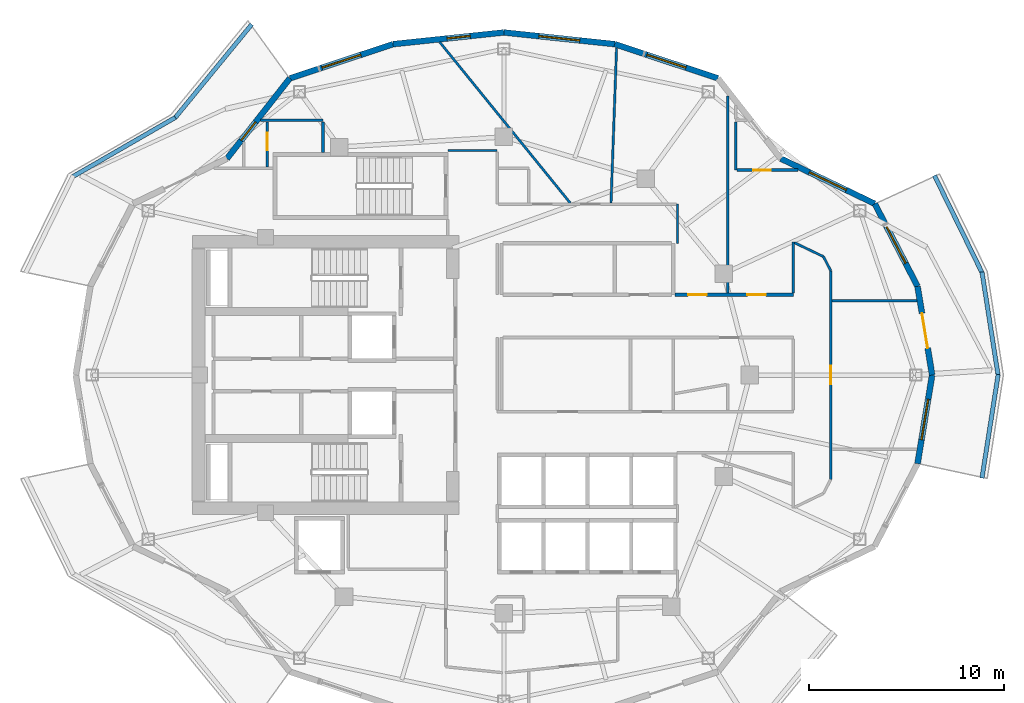
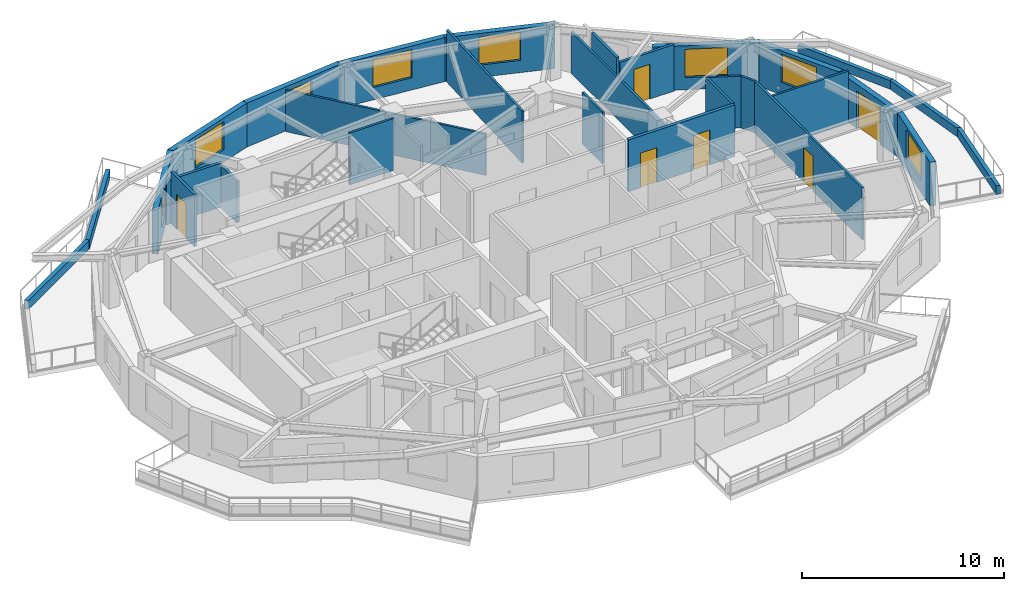
# One storey, part 6 of 12: 30 walls, 8 windows, 6 doors, 14 openings.
"""IFC4 building model written with IfcOpenShell, lengths in metres."""

from ifc_helpers import new_model, si_unit, direction, frame, frame_2d, origin, place, context, subcontext, project, spatial, rectangle, extrude, material, layer, layer_set, type_object, element, fill, save


model = new_model("IFC4")

# Units and contexts
model_context = context("Model", 3, precision=1e-05, world=origin(), true_north=direction((0.0, 1.0)))
body_context = subcontext(model_context, "Body", "Model", "MODEL_VIEW")
ifc_project = project(units=[si_unit("LENGTHUNIT", "METRE"), si_unit("AREAUNIT", "SQUARE_METRE"), si_unit("VOLUMEUNIT", "CUBIC_METRE"), si_unit("PLANEANGLEUNIT", "RADIAN"), si_unit("MASSUNIT", "GRAM", prefix="KILO")], contexts=[model_context])

# Site, building, storey
site_placement = place(None, origin())
site = spatial("IfcSite", under=ifc_project, at=site_placement, CompositionType="ELEMENT")
building_placement = place(site_placement, origin())
building = spatial("IfcBuilding", under=site, at=building_placement, Name="Kolvaren Gate Tower and Convention Centre", CompositionType="ELEMENT")
storey_placement = place(building_placement, frame((0.0, 0.0, 180.10009765625)))
storey = spatial("IfcBuildingStorey", under=building, at=storey_placement, Name="L47", CompositionType="ELEMENT", Elevation=180.10009765625)

# Wall, openings, doors
ifc_material_1 = material(Name="Autoclaved Aerated Masonry Blockwork Class 4 (4.0 MPa)", Category="masonry")
ifc_layer_1 = layer(ifc_material_1, 0.179931640625)
ifc_layer_set_1 = layer_set([ifc_layer_1], Name="Autoclaved Aerated Masonry Blockwork Class 4 (4.0 MPa)")
wall_type_1 = type_object("IfcWallType", Name="ARCH-WL-COMP-180", PredefinedType="SOLIDWALL", material=ifc_layer_set_1)
wall_1_placement = place(storey_placement, frame((38.89208984375, 31.1201171875, 0.0), z_axis=(0.0, 0.0, 1.0), x_axis=(1.0, 0.0, 0.0)))
wall_1 = element("IfcWall", 1, at=wall_1_placement, inside=storey, type_object=wall_type_1, Name="Interior Partition WL-L47-INT-019 (2)", PredefinedType="SOLIDWALL", context=body_context, shape_type="SweptSolid", body=[
    extrude(rectangle(XDim=6.057861328125, YDim=0.179931640625, at=frame_2d((3.02880859375, 0.0))), origin(), (0.0, 0.0, 1.0), 3.1298828125),
])
opening_1_placement = place(wall_1_placement, frame((3.702880859375, 0.0, 0.0)))
opening_1 = element("IfcOpeningElement", 2, at=opening_1_placement, cuts=wall_1, Name="Opening DR-01", PredefinedType="OPENING", context=body_context, shape_type="SweptSolid", body=[
    extrude(rectangle(XDim=0.949951171875, YDim=2.10009765625, at=frame_2d((0.47509765625, 1.050048828125))), frame((0.0, 0.099853515625, 0.0), z_axis=(0.0, -1.0, 0.0), x_axis=(1.0, 0.0, 0.0)), (0.0, 0.0, 1.0), 0.199951171875),
])
opening_2_placement = place(wall_1_placement, frame((0.6640625, 0.0, 0.0)))
opening_2 = element("IfcOpeningElement", 3, at=opening_2_placement, cuts=wall_1, Name="Opening DR-01", PredefinedType="OPENING", context=body_context, shape_type="SweptSolid", body=[
    extrude(rectangle(XDim=0.949951171875, YDim=2.10009765625, at=frame_2d((0.47509765625, 1.050048828125))), frame((0.0, 0.099853515625, 0.0), z_axis=(0.0, -1.0, 0.0), x_axis=(1.0, 0.0, 0.0)), (0.0, 0.0, 1.0), 0.199951171875),
])
ifc_material_2 = material(Name="Painted Architectural Steelwork ASTM A500 Grade C 345 MPa", Category="steel")
door_type_1 = type_object("IfcDoorType", Name="ARCH-DR-RISER-950", OperationType="SINGLE_SWING_RIGHT", PredefinedType="DOOR", material=ifc_material_2)
door_1_placement = place(opening_1_placement, origin())
door_1 = element("IfcDoor", 4, at=door_1_placement, inside=storey, type_object=door_type_1, Name="Hotel Guest Room (HTL-L47-05) Door", OperationType="SINGLE_SWING_LEFT", OverallHeight=2.10009765625, OverallWidth=0.949951171875, PredefinedType="DOOR", context=body_context, shape_type="SweptSolid", body=[
    extrude(rectangle(XDim=0.949951171875, YDim=2.10009765625, at=frame_2d((0.47509765625, 1.050048828125))), frame((0.0, 0.02490234375, 0.0), z_axis=(0.0, -1.0, 0.0), x_axis=(1.0, 0.0, 0.0)), (0.0, 0.0, 1.0), 0.050048828125),
])
fill(opening_1, door_1)
door_2_placement = place(opening_2_placement, origin())
door_2 = element("IfcDoor", 5, at=door_2_placement, inside=storey, type_object=door_type_1, Name="Hotel Botanical Clubroom Door", OperationType="SINGLE_SWING_RIGHT", OverallHeight=2.10009765625, OverallWidth=0.949951171875, PredefinedType="DOOR", context=body_context, shape_type="SweptSolid", body=[
    extrude(rectangle(XDim=0.949951171875, YDim=2.10009765625, at=frame_2d((0.47509765625, 1.050048828125))), frame((0.0, 0.02490234375, 0.0), z_axis=(0.0, -1.0, 0.0), x_axis=(1.0, 0.0, 0.0)), (0.0, 0.0, 1.0), 0.050048828125),
])
fill(opening_2, door_2)

# Walls
ifc_material_3 = material(Name="Fire-Rated Acoustic Gypsum Stud Partition", Category="gypsum")
ifc_layer_2 = layer(ifc_material_3, 0.1201171875)
ifc_layer_set_2 = layer_set([ifc_layer_2], Name="Fire-Rated Acoustic Gypsum Stud Partition")
wall_type_2 = type_object("IfcWallType", Name="ARCH-WL-PART-120", PredefinedType="PARTITIONING", material=ifc_layer_set_2)
wall_2_placement = place(storey_placement, frame((39.02001953125, 33.75, 0.0), z_axis=(0.0, 0.0, 1.0), x_axis=(0.0, 1.0, 0.0)))
element("IfcWall", 6, at=wall_2_placement, inside=storey, type_object=wall_type_2, Name="Interior Partition WL-L47-INT-023", PredefinedType="PARTITIONING", context=body_context, shape_type="SweptSolid", body=[
    extrude(rectangle(XDim=2.0, YDim=0.1201171875, at=frame_2d((1.0, 0.0))), origin(), (0.0, 0.0, 1.0), 3.1298828125),
])
wall_3_placement = place(storey_placement, frame((27.25, 38.5, 0.0), z_axis=(0.0, 0.0, 1.0), x_axis=(1.0, 0.0, 0.0)))
element("IfcWall", 7, at=wall_3_placement, inside=storey, type_object=wall_type_2, Name="Interior Partition WL-L47-INT-030", PredefinedType="PARTITIONING", context=body_context, shape_type="SweptSolid", body=[
    extrude(rectangle(XDim=2.530029296875, YDim=0.1201171875, at=frame_2d((1.26513671875, 0.0))), origin(), (0.0, 0.0, 1.0), 3.1298828125),
])
wall_4_placement = place(storey_placement, frame((44.949951171875, 31.2119140625, 0.0), z_axis=(0.0, 0.0, 1.0), x_axis=(0.0, 1.0, 0.0)))
element("IfcWall", 8, at=wall_4_placement, inside=storey, type_object=wall_type_2, Name="Interior Partition WL-L47-INT-038", PredefinedType="PARTITIONING", context=body_context, shape_type="SweptSolid", body=[
    extrude(rectangle(XDim=2.59619140625, YDim=0.1201171875, at=frame_2d((1.298095703125, 0.0))), origin(), (0.0, 0.0, 1.0), 3.1298828125),
])
wall_5_placement = place(storey_placement, frame((45.011962890625, 33.7783203125, 0.0), z_axis=(0.0, 0.0, 1.0), x_axis=(0.901268034538, -0.433261964544, 0.0)))
element("IfcWall", 9, at=wall_5_placement, inside=storey, type_object=wall_type_2, Name="Interior Partition WL-L47-INT-039", PredefinedType="PARTITIONING", context=body_context, shape_type="SweptSolid", body=[
    extrude(rectangle(XDim=1.644287109375, YDim=0.1201171875, at=frame_2d((0.822265625, 0.0))), origin(), (0.0, 0.0, 1.0), 3.1298828125),
])
wall_6_placement = place(storey_placement, frame((46.493896484375, 33.06591796875, 0.0), z_axis=(0.0, 0.0, 1.0), x_axis=(0.460674892026, -0.887568951607, 0.0)))
element("IfcWall", 10, at=wall_6_placement, inside=storey, type_object=wall_type_2, Name="Interior Partition WL-L47-INT-040", PredefinedType="PARTITIONING", context=body_context, shape_type="SweptSolid", body=[
    extrude(rectangle(XDim=0.816650390625, YDim=0.1201171875, at=frame_2d((0.408203125, 0.0))), origin(), (0.0, 0.0, 1.0), 3.1298828125),
])

# Wall, opening, door
wall_7_placement = place(storey_placement, frame((46.8701171875, 21.658935546875, 0.0), z_axis=(0.0, 0.0, 1.0), x_axis=(0.0, 1.0, 0.0)))
wall_7 = element("IfcWall", 11, at=wall_7_placement, inside=storey, type_object=wall_type_2, Name="Interior Partition WL-L47-INT-041", PredefinedType="PARTITIONING", context=body_context, shape_type="SweptSolid", body=[
    extrude(rectangle(XDim=10.68212890625, YDim=0.1201171875, at=frame_2d((5.341064453125, 0.0))), origin(), (0.0, 0.0, 1.0), 3.1298828125),
])
opening_3_placement = place(wall_7_placement, frame((4.865966796875, 0.0, 0.0)))
opening_3 = element("IfcOpeningElement", 12, at=opening_3_placement, cuts=wall_7, Name="Opening DR-01", PredefinedType="OPENING", context=body_context, shape_type="SweptSolid", body=[
    extrude(rectangle(XDim=0.949951171875, YDim=2.10009765625, at=frame_2d((0.47509765625, 1.050048828125))), frame((0.0, 0.070068359375, 0.0), z_axis=(0.0, -1.0, 0.0), x_axis=(1.0, 0.0, 0.0)), (0.0, 0.0, 1.0), 0.14013671875),
])
door_3_placement = place(opening_3_placement, origin())
door_3 = element("IfcDoor", 13, at=door_3_placement, inside=storey, type_object=door_type_1, Name="Sky Gastronomy Restaurant Door", OperationType="SINGLE_SWING_LEFT", OverallHeight=2.10009765625, OverallWidth=0.949951171875, PredefinedType="DOOR", context=body_context, shape_type="SweptSolid", body=[
    extrude(rectangle(XDim=0.949951171875, YDim=2.10009765625, at=frame_2d((0.47509765625, 1.050048828125))), frame((0.0, 0.02490234375, 0.0), z_axis=(0.0, -1.0, 0.0), x_axis=(1.0, 0.0, 0.0)), (0.0, 0.0, 1.0), 0.050048828125),
])
fill(opening_3, door_3)

# Walls
wall_8_placement = place(storey_placement, frame((46.931884765625, 30.800048828125, 0.0), z_axis=(0.0, 0.0, 1.0), x_axis=(1.0, 0.0, 0.0)))
element("IfcWall", 14, at=wall_8_placement, inside=storey, type_object=wall_type_2, Name="Interior Partition WL-L47-INT-055", PredefinedType="PARTITIONING", context=body_context, shape_type="SweptSolid", body=[
    extrude(rectangle(XDim=4.351318359375, YDim=0.1201171875, at=frame_2d((2.17578125, 0.0))), origin(), (0.0, 0.0, 1.0), 3.1298828125),
])
wall_9_placement = place(storey_placement, frame((41.60009765625, 31.2119140625, 0.0), z_axis=(0.0, 0.0, 1.0), x_axis=(0.0, 1.0, 0.0)))
element("IfcWall", 15, at=wall_9_placement, inside=storey, type_object=wall_type_2, Name="Interior Partition WL-L47-INT-057", PredefinedType="PARTITIONING", context=body_context, shape_type="SweptSolid", body=[
    extrude(rectangle(XDim=10.093505859375, YDim=0.1201171875, at=frame_2d((5.046875, 0.0))), origin(), (0.0, 0.0, 1.0), 2.5048828125),
])
wall_10_placement = place(storey_placement, frame((35.611083984375, 35.81201171875, 0.0), z_axis=(0.0, 0.0, 1.0), x_axis=(0.035850277254, 0.999357172197, 0.0)))
element("IfcWall", 16, at=wall_10_placement, inside=storey, type_object=wall_type_2, Name="Interior Partition WL-L47-INT-063", PredefinedType="PARTITIONING", context=body_context, shape_type="SweptSolid", body=[
    extrude(rectangle(XDim=7.9541015625, YDim=0.1201171875, at=frame_2d((3.97705078125, 0.0))), origin(), (0.0, 0.0, 1.0), 3.1298828125),
])
wall_11_placement = place(storey_placement, frame((26.83935546875, 44.051025390625, 0.0), z_axis=(0.0, 0.0, 1.0), x_axis=(0.630087458982, -0.77652417479, 0.0)))
element("IfcWall", 17, at=wall_11_placement, inside=storey, type_object=wall_type_2, Name="Interior Partition WL-L47-INT-064", PredefinedType="PARTITIONING", context=body_context, shape_type="SweptSolid", body=[
    extrude(rectangle(XDim=10.610107421875, YDim=0.1201171875, at=frame_2d((5.30517578125, 0.0))), origin(), (0.0, 0.0, 1.0), 2.5048828125),
])
ifc_material_4 = material(Name="Piedmont Cream Honed Limestone Cladding", Category="masonry")
ifc_layer_3 = layer(ifc_material_4, 0.219970703125)
ifc_layer_set_3 = layer_set([ifc_layer_3], Name="Piedmont Cream Honed Limestone Cladding")
wall_type_3 = type_object("IfcWallType", Name="ARCH-WL-PLANTER-220", PredefinedType="PARAPET", material=ifc_layer_set_3)
wall_12_placement = place(storey_placement, frame((13.24609375, 40.13720703125, 0.0), z_axis=(0.0, 0.0, 1.0), x_axis=(0.634429234628, 0.77298094818, 0.0)))
element("IfcWall", 18, at=wall_12_placement, inside=storey, type_object=wall_type_3, Name="Vertical-Forest Balcony Stone Planter Kerb PK-L47-1.1", PredefinedType="PARAPET", context=body_context, shape_type="SweptSolid", body=[
    extrude(rectangle(XDim=6.244873046875, YDim=0.219970703125, at=frame_2d((3.12255859375, 0.0))), origin(), (0.0, 0.0, 1.0), 0.52001953125),
])
wall_13_placement = place(storey_placement, frame((8.0439453125, 37.16552734375, 0.0), z_axis=(0.0, 0.0, 1.0), x_axis=(0.866058128659, 0.499943314571, 0.0)))
element("IfcWall", 19, at=wall_13_placement, inside=storey, type_object=wall_type_3, Name="Vertical-Forest Balcony Stone Planter Kerb PK-L47-1.2", PredefinedType="PARAPET", context=body_context, shape_type="SweptSolid", body=[
    extrude(rectangle(XDim=6.060302734375, YDim=0.219970703125, at=frame_2d((3.0302734375, 0.0))), origin(), (0.0, 0.0, 1.0), 0.52001953125),
])
for number, where, z_axis, x_axis, name in (
    (20, (54.615234375, 21.719970703125, 0.0), (0.0, 0.0, 1.0), (0.154245214003, 0.988032597619, 0.0), "Vertical-Forest Balcony Stone Planter Kerb PK-L47-4.1"),
    (21, (54.615234375, 32.280029296875, 0.0), (0.0, 0.0, 1.0), (0.154245214003, -0.988032597619, 0.0), "Vertical-Forest Balcony Stone Planter Kerb PK-L47-4.2"),
):
    element("IfcWall", number, at=place(storey_placement, frame(where, z_axis=z_axis, x_axis=x_axis)), inside=storey, type_object=wall_type_3, Name=name, PredefinedType="PARAPET", context=body_context, shape_type="SweptSolid", body=[
        extrude(rectangle(XDim=5.37353515625, YDim=0.219970703125, at=frame_2d((2.686767578125, 0.0))), origin(), (0.0, 0.0, 1.0), 0.52001953125),
    ])
wall_14_placement = place(storey_placement, frame((52.180419921875, 37.221435546875, 0.0), z_axis=(0.0, 0.0, 1.0), x_axis=(0.439637174641, -0.898175458735, 0.0)))
element("IfcWall", 22, at=wall_14_placement, inside=storey, type_object=wall_type_3, Name="Vertical-Forest Balcony Stone Planter Kerb PK-L47-4.3", PredefinedType="PARAPET", context=body_context, shape_type="SweptSolid", body=[
    extrude(rectangle(XDim=5.567138671875, YDim=0.219970703125, at=frame_2d((2.78369140625, 0.0))), origin(), (0.0, 0.0, 1.0), 0.52001953125),
])

# Wall, opening, door
ifc_layer_4 = layer(ifc_material_4, 0.300048828125)
ifc_layer_set_4 = layer_set([ifc_layer_4], Name="Piedmont Cream Honed Limestone Cladding")
wall_type_4 = type_object("IfcWallType", Name="ARCH-WL-STONE-300", PredefinedType="SOLIDWALL", material=ifc_layer_set_4)
wall_15_placement = place(storey_placement, frame((51.31494140625, 31.542236328125, 0.0), z_axis=(0.0, 0.0, 1.0), x_axis=(0.162394765401, -0.986725868806, 0.0)))
wall_15 = element("IfcWall", 23, at=wall_15_placement, inside=storey, type_object=wall_type_4, Name="Tower L47 Honed Stone Spandrel Wall EW-00", PredefinedType="SOLIDWALL", context=body_context, shape_type="SweptSolid", body=[
    extrude(rectangle(XDim=4.603271484375, YDim=0.300048828125, at=frame_2d((2.3017578125, 0.0))), origin(), (0.0, 0.0, 1.0), 2.65283203125),
])
opening_4_placement = place(wall_15_placement, frame((1.402099609375, 0.0, 0.0)))
opening_4 = element("IfcOpeningElement", 24, at=opening_4_placement, cuts=wall_15, Name="Opening DB-01", PredefinedType="OPENING", context=body_context, shape_type="SweptSolid", body=[
    extrude(rectangle(XDim=1.800048828125, YDim=2.25, at=frame_2d((0.89990234375, 1.125))), frame((0.0, 0.159912109375, 0.0), z_axis=(0.0, -1.0, 0.0), x_axis=(1.0, 0.0, 0.0)), (0.0, 0.0, 1.0), 0.320068359375),
])
ifc_material_5 = material(Name="Anodized Architectural Aluminium Alloy 6063-T6", Category="aluminium")
door_type_2 = type_object("IfcDoorType", Name="ARCH-DR-BALC-1800", OperationType="SLIDING_TO_LEFT", PredefinedType="DOOR", material=ifc_material_5)
door_4_placement = place(opening_4_placement, origin())
door_4 = element("IfcDoor", 25, at=door_4_placement, inside=storey, type_object=door_type_2, Name="Planted Sky Terrace Access Door DB-L47-00", OperationType="SLIDING_TO_LEFT", OverallHeight=2.25, OverallWidth=1.800048828125, PredefinedType="DOOR", context=body_context, shape_type="SweptSolid", body=[
    extrude(rectangle(XDim=1.800048828125, YDim=2.25, at=frame_2d((0.89990234375, 1.125))), frame((0.0, 0.02490234375, 0.0), z_axis=(0.0, -1.0, 0.0), x_axis=(1.0, 0.0, 0.0)), (0.0, 0.0, 1.0), 0.050048828125),
])
fill(opening_4, door_4)

# Wall, opening, window
wall_16_placement = place(storey_placement, frame((49.123291015625, 35.77490234375, 0.0), z_axis=(0.0, 0.0, 1.0), x_axis=(0.459810251451, -0.888017191647, 0.0)))
wall_16 = element("IfcWall", 26, at=wall_16_placement, inside=storey, type_object=wall_type_4, Name="Tower L47 Honed Stone Spandrel Wall EW-01", PredefinedType="SOLIDWALL", context=body_context, shape_type="SweptSolid", body=[
    extrude(rectangle(XDim=4.766357421875, YDim=0.300048828125, at=frame_2d((2.38330078125, 0.0))), origin(), (0.0, 0.0, 1.0), 2.65283203125),
])
opening_5_placement = place(wall_16_placement, frame((1.3330078125, 0.0, 0.739990234375)))
opening_5 = element("IfcOpeningElement", 27, at=opening_5_placement, cuts=wall_16, Name="Opening W-02", PredefinedType="OPENING", context=body_context, shape_type="SweptSolid", body=[
    extrude(rectangle(XDim=2.10009765625, YDim=1.699951171875, at=frame_2d((1.050048828125, 0.85009765625))), frame((0.0, 0.159912109375, 0.0), z_axis=(0.0, -1.0, 0.0), x_axis=(1.0, 0.0, 0.0)), (0.0, 0.0, 1.0), 0.320068359375),
])
ifc_material_6 = material(Name="Low-E Triple Insulated Glazing Unit 44 mm", Category="glass")
window_type_1 = type_object("IfcWindowType", Name="ARCH-WN-HTL-2100", PartitioningType="SINGLE_PANEL", PredefinedType="WINDOW", material=ifc_material_6)
window_1_placement = place(opening_5_placement, origin())
window_1 = element("IfcWindow", 28, at=window_1_placement, inside=storey, type_object=window_type_1, Name="Tower L47 Punched Stone Facade Window W-01", OverallHeight=1.699951171875, OverallWidth=2.10009765625, PartitioningType="SINGLE_PANEL", PredefinedType="WINDOW", context=body_context, shape_type="SweptSolid", body=[
    extrude(rectangle(XDim=2.10009765625, YDim=1.699951171875, at=frame_2d((1.050048828125, 0.85009765625))), frame((0.0, 0.030029296875, 0.0), z_axis=(0.0, -1.0, 0.0), x_axis=(1.0, 0.0, 0.0)), (0.0, 0.0, 1.0), 0.06005859375),
])
fill(opening_5, window_1)

wall_17_placement = place(storey_placement, frame((44.3134765625, 38.0859375, 0.0), z_axis=(0.0, 0.0, 1.0), x_axis=(0.901353070301, -0.433085029363, 0.0)))
wall_17 = element("IfcWall", 29, at=wall_17_placement, inside=storey, type_object=wall_type_4, Name="Tower L47 Honed Stone Spandrel Wall EW-02", PredefinedType="SOLIDWALL", context=body_context, shape_type="SweptSolid", body=[
    extrude(rectangle(XDim=5.336181640625, YDim=0.300048828125, at=frame_2d((2.66796875, 0.0))), origin(), (0.0, 0.0, 1.0), 2.65283203125),
])
opening_6_placement = place(wall_17_placement, frame((1.617919921875, 0.0, 0.739990234375)))
opening_6 = element("IfcOpeningElement", 30, at=opening_6_placement, cuts=wall_17, Name="Opening W-02", PredefinedType="OPENING", context=body_context, shape_type="SweptSolid", body=[
    extrude(rectangle(XDim=2.10009765625, YDim=1.699951171875, at=frame_2d((1.050048828125, 0.85009765625))), frame((0.0, 0.159912109375, 0.0), z_axis=(0.0, -1.0, 0.0), x_axis=(1.0, 0.0, 0.0)), (0.0, 0.0, 1.0), 0.320068359375),
])
window_2_placement = place(opening_6_placement, origin())
window_2 = element("IfcWindow", 31, at=window_2_placement, inside=storey, type_object=window_type_1, Name="Tower L47 Punched Stone Facade Window W-02", OverallHeight=1.699951171875, OverallWidth=2.10009765625, PartitioningType="SINGLE_PANEL", PredefinedType="WINDOW", context=body_context, shape_type="SweptSolid", body=[
    extrude(rectangle(XDim=2.10009765625, YDim=1.699951171875, at=frame_2d((1.050048828125, 0.85009765625))), frame((0.0, 0.030029296875, 0.0), z_axis=(0.0, -1.0, 0.0), x_axis=(1.0, 0.0, 0.0)), (0.0, 0.0, 1.0), 0.06005859375),
])
fill(opening_6, window_2)

wall_18_placement = place(storey_placement, frame((35.802734375, 43.951904296875, 0.0), z_axis=(0.0, 0.0, 1.0), x_axis=(0.949246811547, -0.314532177636, 0.0)))
wall_18 = element("IfcWall", 32, at=wall_18_placement, inside=storey, type_object=wall_type_4, Name="Tower L47 Honed Stone Spandrel Wall EW-04", PredefinedType="SOLIDWALL", context=body_context, shape_type="SweptSolid", body=[
    extrude(rectangle(XDim=5.573974609375, YDim=0.300048828125, at=frame_2d((2.787109375, 0.0))), origin(), (0.0, 0.0, 1.0), 2.65283203125),
])
opening_7_placement = place(wall_18_placement, frame((1.737060546875, 0.0, 0.739990234375)))
opening_7 = element("IfcOpeningElement", 33, at=opening_7_placement, cuts=wall_18, Name="Opening W-02", PredefinedType="OPENING", context=body_context, shape_type="SweptSolid", body=[
    extrude(rectangle(XDim=2.10009765625, YDim=1.699951171875, at=frame_2d((1.050048828125, 0.85009765625))), frame((0.0, 0.159912109375, 0.0), z_axis=(0.0, -1.0, 0.0), x_axis=(1.0, 0.0, 0.0)), (0.0, 0.0, 1.0), 0.320068359375),
])
window_3_placement = place(opening_7_placement, origin())
window_3 = element("IfcWindow", 34, at=window_3_placement, inside=storey, type_object=window_type_1, Name="Tower L47 Punched Stone Facade Window W-04", OverallHeight=1.699951171875, OverallWidth=2.10009765625, PartitioningType="SINGLE_PANEL", PredefinedType="WINDOW", context=body_context, shape_type="SweptSolid", body=[
    extrude(rectangle(XDim=2.10009765625, YDim=1.699951171875, at=frame_2d((1.050048828125, 0.85009765625))), frame((0.0, 0.030029296875, 0.0), z_axis=(0.0, -1.0, 0.0), x_axis=(1.0, 0.0, 0.0)), (0.0, 0.0, 1.0), 0.06005859375),
])
fill(opening_7, window_3)

wall_19_placement = place(storey_placement, frame((30.125, 44.550048828125, 0.0), z_axis=(0.0, 0.0, 1.0), x_axis=(0.994496545245, -0.104769372887, 0.0)))
wall_19 = element("IfcWall", 35, at=wall_19_placement, inside=storey, type_object=wall_type_4, Name="Tower L47 Honed Stone Spandrel Wall EW-05", PredefinedType="SOLIDWALL", context=body_context, shape_type="SweptSolid", body=[
    extrude(rectangle(XDim=5.709228515625, YDim=0.300048828125, at=frame_2d((2.8544921875, 0.0))), origin(), (0.0, 0.0, 1.0), 2.65283203125),
])
opening_8_placement = place(wall_19_placement, frame((1.804931640625, 0.0, 0.739990234375)))
opening_8 = element("IfcOpeningElement", 36, at=opening_8_placement, cuts=wall_19, Name="Opening W-02", PredefinedType="OPENING", context=body_context, shape_type="SweptSolid", body=[
    extrude(rectangle(XDim=2.10009765625, YDim=1.699951171875, at=frame_2d((1.050048828125, 0.85009765625))), frame((0.0, 0.159912109375, 0.0), z_axis=(0.0, -1.0, 0.0), x_axis=(1.0, 0.0, 0.0)), (0.0, 0.0, 1.0), 0.320068359375),
])
window_4_placement = place(opening_8_placement, origin())
window_4 = element("IfcWindow", 37, at=window_4_placement, inside=storey, type_object=window_type_1, Name="Tower L47 Punched Stone Facade Window W-05", OverallHeight=1.699951171875, OverallWidth=2.10009765625, PartitioningType="SINGLE_PANEL", PredefinedType="WINDOW", context=body_context, shape_type="SweptSolid", body=[
    extrude(rectangle(XDim=2.10009765625, YDim=1.699951171875, at=frame_2d((1.050048828125, 0.85009765625))), frame((0.0, 0.030029296875, 0.0), z_axis=(0.0, -1.0, 0.0), x_axis=(1.0, 0.0, 0.0)), (0.0, 0.0, 1.0), 0.06005859375),
])
fill(opening_8, window_4)

wall_20_placement = place(storey_placement, frame((24.447265625, 43.951904296875, 0.0), z_axis=(0.0, 0.0, 1.0), x_axis=(0.994496545245, 0.104769372887, 0.0)))
wall_20 = element("IfcWall", 38, at=wall_20_placement, inside=storey, type_object=wall_type_4, Name="Tower L47 Honed Stone Spandrel Wall EW-06", PredefinedType="SOLIDWALL", context=body_context, shape_type="SweptSolid", body=[
    extrude(rectangle(XDim=5.709228515625, YDim=0.300048828125, at=frame_2d((2.8544921875, 0.0))), origin(), (0.0, 0.0, 1.0), 2.65283203125),
])
opening_9_placement = place(wall_20_placement, frame((2.780029296875, 0.0, 0.719970703125)))
opening_9 = element("IfcOpeningElement", 39, at=opening_9_placement, cuts=wall_20, Name="Opening W-04", PredefinedType="OPENING", context=body_context, shape_type="SweptSolid", body=[
    extrude(rectangle(XDim=1.199951171875, YDim=1.64990234375, at=frame_2d((0.60009765625, 0.824951171875))), frame((0.0, 0.159912109375, 0.0), z_axis=(0.0, -1.0, 0.0), x_axis=(1.0, 0.0, 0.0)), (0.0, 0.0, 1.0), 0.320068359375),
])
window_type_2 = type_object("IfcWindowType", Name="ARCH-WN-NARROW-1200", PartitioningType="SINGLE_PANEL", PredefinedType="WINDOW", material=ifc_material_6)
window_5_placement = place(opening_9_placement, origin())
window_5 = element("IfcWindow", 40, at=window_5_placement, inside=storey, type_object=window_type_2, Name="Tower L47 Punched Stone Facade Window W-06", OverallHeight=1.64990234375, OverallWidth=1.199951171875, PartitioningType="SINGLE_PANEL", PredefinedType="WINDOW", context=body_context, shape_type="SweptSolid", body=[
    extrude(rectangle(XDim=1.199951171875, YDim=1.64990234375, at=frame_2d((0.60009765625, 0.824951171875))), frame((0.0, 0.030029296875, 0.0), z_axis=(0.0, -1.0, 0.0), x_axis=(1.0, 0.0, 0.0)), (0.0, 0.0, 1.0), 0.06005859375),
])
fill(opening_9, window_5)

wall_21_placement = place(storey_placement, frame((19.15625, 42.19873046875, 0.0), z_axis=(0.0, 0.0, 1.0), x_axis=(0.949246811547, 0.314532177636, 0.0)))
wall_21 = element("IfcWall", 41, at=wall_21_placement, inside=storey, type_object=wall_type_4, Name="Tower L47 Honed Stone Spandrel Wall EW-07", PredefinedType="SOLIDWALL", context=body_context, shape_type="SweptSolid", body=[
    extrude(rectangle(XDim=5.573974609375, YDim=0.300048828125, at=frame_2d((2.787109375, 0.0))), origin(), (0.0, 0.0, 1.0), 2.65283203125),
])
opening_10_placement = place(wall_21_placement, frame((1.737060546875, 0.0, 0.739990234375)))
opening_10 = element("IfcOpeningElement", 42, at=opening_10_placement, cuts=wall_21, Name="Opening W-02", PredefinedType="OPENING", context=body_context, shape_type="SweptSolid", body=[
    extrude(rectangle(XDim=2.10009765625, YDim=1.699951171875, at=frame_2d((1.050048828125, 0.85009765625))), frame((0.0, 0.159912109375, 0.0), z_axis=(0.0, -1.0, 0.0), x_axis=(1.0, 0.0, 0.0)), (0.0, 0.0, 1.0), 0.320068359375),
])
window_6_placement = place(opening_10_placement, origin())
window_6 = element("IfcWindow", 43, at=window_6_placement, inside=storey, type_object=window_type_1, Name="Tower L47 Punched Stone Facade Window W-07", OverallHeight=1.699951171875, OverallWidth=2.10009765625, PartitioningType="SINGLE_PANEL", PredefinedType="WINDOW", context=body_context, shape_type="SweptSolid", body=[
    extrude(rectangle(XDim=2.10009765625, YDim=1.699951171875, at=frame_2d((1.050048828125, 0.85009765625))), frame((0.0, 0.030029296875, 0.0), z_axis=(0.0, -1.0, 0.0), x_axis=(1.0, 0.0, 0.0)), (0.0, 0.0, 1.0), 0.06005859375),
])
fill(opening_10, window_6)

wall_22_placement = place(storey_placement, frame((15.9365234375, 38.0859375, 0.0), z_axis=(0.0, 0.0, 1.0), x_axis=(0.616429245738, 0.787410302828, 0.0)))
wall_22 = element("IfcWall", 44, at=wall_22_placement, inside=storey, type_object=wall_type_4, Name="Tower L47 Honed Stone Spandrel Wall EW-08", PredefinedType="SOLIDWALL", context=body_context, shape_type="SweptSolid", body=[
    extrude(rectangle(XDim=5.22314453125, YDim=0.300048828125, at=frame_2d((2.611572265625, 0.0))), origin(), (0.0, 0.0, 1.0), 2.65283203125),
])
opening_11_placement = place(wall_22_placement, frame((1.179931640625, 0.0, 0.719970703125)))
opening_11 = element("IfcOpeningElement", 45, at=opening_11_placement, cuts=wall_22, Name="Opening W-04", PredefinedType="OPENING", context=body_context, shape_type="SweptSolid", body=[
    extrude(rectangle(XDim=1.199951171875, YDim=1.64990234375, at=frame_2d((0.60009765625, 0.824951171875))), frame((0.0, 0.159912109375, 0.0), z_axis=(0.0, -1.0, 0.0), x_axis=(1.0, 0.0, 0.0)), (0.0, 0.0, 1.0), 0.320068359375),
])
window_7_placement = place(opening_11_placement, origin())
window_7 = element("IfcWindow", 46, at=window_7_placement, inside=storey, type_object=window_type_2, Name="Tower L47 Punched Stone Facade Window W-08", OverallHeight=1.64990234375, OverallWidth=1.199951171875, PartitioningType="SINGLE_PANEL", PredefinedType="WINDOW", context=body_context, shape_type="SweptSolid", body=[
    extrude(rectangle(XDim=1.199951171875, YDim=1.64990234375, at=frame_2d((0.60009765625, 0.824951171875))), frame((0.0, 0.030029296875, 0.0), z_axis=(0.0, -1.0, 0.0), x_axis=(1.0, 0.0, 0.0)), (0.0, 0.0, 1.0), 0.06005859375),
])
fill(opening_11, window_7)

wall_23_placement = place(storey_placement, frame((51.31494140625, 22.457763671875, 0.0), z_axis=(0.0, 0.0, 1.0), x_axis=(0.162394765401, 0.986725868806, 0.0)))
wall_23 = element("IfcWall", 47, at=wall_23_placement, inside=storey, type_object=wall_type_4, Name="Tower L47 Honed Stone Spandrel Wall EW-23", PredefinedType="SOLIDWALL", context=body_context, shape_type="SweptSolid", body=[
    extrude(rectangle(XDim=4.603271484375, YDim=0.300048828125, at=frame_2d((2.3017578125, 0.0))), origin(), (0.0, 0.0, 1.0), 2.65283203125),
])
opening_12_placement = place(wall_23_placement, frame((1.251953125, 0.0, 0.739990234375)))
opening_12 = element("IfcOpeningElement", 48, at=opening_12_placement, cuts=wall_23, Name="Opening W-02", PredefinedType="OPENING", context=body_context, shape_type="SweptSolid", body=[
    extrude(rectangle(XDim=2.10009765625, YDim=1.699951171875, at=frame_2d((1.050048828125, 0.85009765625))), frame((0.0, 0.159912109375, 0.0), z_axis=(0.0, -1.0, 0.0), x_axis=(1.0, 0.0, 0.0)), (0.0, 0.0, 1.0), 0.320068359375),
])
window_8_placement = place(opening_12_placement, origin())
window_8 = element("IfcWindow", 49, at=window_8_placement, inside=storey, type_object=window_type_1, Name="Tower L47 Punched Stone Facade Window W-23", OverallHeight=1.699951171875, OverallWidth=2.10009765625, PartitioningType="SINGLE_PANEL", PredefinedType="WINDOW", context=body_context, shape_type="SweptSolid", body=[
    extrude(rectangle(XDim=2.10009765625, YDim=1.699951171875, at=frame_2d((1.050048828125, 0.85009765625))), frame((0.0, 0.030029296875, 0.0), z_axis=(0.0, -1.0, 0.0), x_axis=(1.0, 0.0, 0.0)), (0.0, 0.0, 1.0), 0.06005859375),
])
fill(opening_12, window_8)

# Walls
ifc_material_7 = material(Name="Moisture-Resistant Cement-Board Acoustic Partition", Category="gypsum")
ifc_layer_5 = layer(ifc_material_7, 0.14990234375)
ifc_layer_set_5 = layer_set([ifc_layer_5], Name="Moisture-Resistant Cement-Board Acoustic Partition")
wall_type_5 = type_object("IfcWallType", Name="ARCH-WL-WET-150", PredefinedType="PARTITIONING", material=ifc_layer_set_5)
wall_24_placement = place(storey_placement, frame((17.6669921875, 40.050048828125, 0.0), z_axis=(0.0, 0.0, 1.0), x_axis=(1.0, 0.0, 0.0)))
element("IfcWall", 50, at=wall_24_placement, inside=storey, type_object=wall_type_5, Name="Interior Partition WL-L47-INT-059", PredefinedType="PARTITIONING", context=body_context, shape_type="SweptSolid", body=[
    extrude(rectangle(XDim=3.18310546875, YDim=0.14990234375, at=frame_2d((1.591552734375, 0.0))), origin(), (0.0, 0.0, 1.0), 2.65283203125),
])
wall_25_placement = place(storey_placement, frame((42.0, 37.5, 0.0), z_axis=(0.0, 0.0, 1.0), x_axis=(0.0, 1.0, 0.0)))
element("IfcWall", 51, at=wall_25_placement, inside=storey, type_object=wall_type_5, Name="Interior Partition WL-L47-INT-061", PredefinedType="PARTITIONING", context=body_context, shape_type="SweptSolid", body=[
    extrude(rectangle(XDim=2.472900390625, YDim=0.14990234375, at=frame_2d((1.236328125, 0.0))), origin(), (0.0, 0.0, 1.0), 3.1298828125),
])

# Wall, opening, door
wall_26_placement = place(storey_placement, frame((42.076904296875, 37.5, 0.0), z_axis=(0.0, 0.0, 1.0), x_axis=(1.0, 0.0, 0.0)))
wall_26 = element("IfcWall", 52, at=wall_26_placement, inside=storey, type_object=wall_type_5, Name="Interior Partition WL-L47-INT-062", PredefinedType="PARTITIONING", context=body_context, shape_type="SweptSolid", body=[
    extrude(rectangle(XDim=3.105224609375, YDim=0.14990234375, at=frame_2d((1.552734375, 0.0))), origin(), (0.0, 0.0, 1.0), 2.81201171875),
])
opening_13_placement = place(wall_26_placement, frame((0.822509765625, 0.0, 0.0)))
opening_13 = element("IfcOpeningElement", 53, at=opening_13_placement, cuts=wall_26, Name="Opening DW-01", PredefinedType="OPENING", context=body_context, shape_type="SweptSolid", body=[
    extrude(rectangle(XDim=0.89990234375, YDim=2.10009765625, at=frame_2d((0.449951171875, 1.050048828125))), frame((0.0, 0.0849609375, 0.0), z_axis=(0.0, -1.0, 0.0), x_axis=(1.0, 0.0, 0.0)), (0.0, 0.0, 1.0), 0.169921875),
])
ifc_material_8 = material(Name="FSC Andean Oak Engineered Veneer Door Leaf", Category="wood")
door_type_3 = type_object("IfcDoorType", Name="ARCH-DR-WC-900", OperationType="SINGLE_SWING_RIGHT", PredefinedType="DOOR", material=ifc_material_8)
door_5_placement = place(opening_13_placement, origin())
door_5 = element("IfcDoor", 54, at=door_5_placement, inside=storey, type_object=door_type_3, Name="En-suite Bathroom (HTL-L47-05) Door", OperationType="SINGLE_SWING_LEFT", OverallHeight=2.10009765625, OverallWidth=0.89990234375, PredefinedType="DOOR", context=body_context, shape_type="SweptSolid", body=[
    extrude(rectangle(XDim=0.89990234375, YDim=2.10009765625, at=frame_2d((0.449951171875, 1.050048828125))), frame((0.0, 0.02490234375, 0.0), z_axis=(0.0, -1.0, 0.0), x_axis=(1.0, 0.0, 0.0)), (0.0, 0.0, 1.0), 0.050048828125),
])
fill(opening_13, door_5)

# Wall
wall_27_placement = place(storey_placement, frame((20.85009765625, 38.402099609375, 0.0), z_axis=(0.0, 0.0, 1.0), x_axis=(0.0, 1.0, 0.0)))
element("IfcWall", 55, at=wall_27_placement, inside=storey, type_object=wall_type_5, Name="Interior Partition WL-L47-INT-065", PredefinedType="PARTITIONING", context=body_context, shape_type="SweptSolid", body=[
    extrude(rectangle(XDim=1.57080078125, YDim=0.14990234375, at=frame_2d((0.785400390625, 0.0))), origin(), (0.0, 0.0, 1.0), 2.5048828125),
])

# Wall, opening, door
wall_28_placement = place(storey_placement, frame((18.0, 37.662109375, 0.0), z_axis=(0.0, 0.0, 1.0), x_axis=(0.0, 1.0, 0.0)))
wall_28 = element("IfcWall", 56, at=wall_28_placement, inside=storey, type_object=wall_type_5, Name="Interior Partition WL-L47-INT-066", PredefinedType="PARTITIONING", context=body_context, shape_type="SweptSolid", body=[
    extrude(rectangle(XDim=2.310791015625, YDim=0.14990234375, at=frame_2d((1.1552734375, 0.0))), origin(), (0.0, 0.0, 1.0), 3.1298828125),
])
opening_14_placement = place(wall_28_placement, frame((0.845458984375, 0.0, 0.0)))
opening_14 = element("IfcOpeningElement", 57, at=opening_14_placement, cuts=wall_28, Name="Opening DW-01", PredefinedType="OPENING", context=body_context, shape_type="SweptSolid", body=[
    extrude(rectangle(XDim=0.89990234375, YDim=2.10009765625, at=frame_2d((0.449951171875, 1.050048828125))), frame((0.0, 0.0849609375, 0.0), z_axis=(0.0, -1.0, 0.0), x_axis=(1.0, 0.0, 0.0)), (0.0, 0.0, 1.0), 0.169921875),
])
door_6_placement = place(opening_14_placement, origin())
door_6 = element("IfcDoor", 58, at=door_6_placement, inside=storey, type_object=door_type_3, Name="En-suite Bathroom (HTL-L47-08) Door", OperationType="SINGLE_SWING_RIGHT", OverallHeight=2.10009765625, OverallWidth=0.89990234375, PredefinedType="DOOR", context=body_context, shape_type="SweptSolid", body=[
    extrude(rectangle(XDim=0.89990234375, YDim=2.10009765625, at=frame_2d((0.449951171875, 1.050048828125))), frame((0.0, 0.02490234375, 0.0), z_axis=(0.0, -1.0, 0.0), x_axis=(1.0, 0.0, 0.0)), (0.0, 0.0, 1.0), 0.050048828125),
])
fill(opening_14, door_6)

save(model, "model.ifc")
